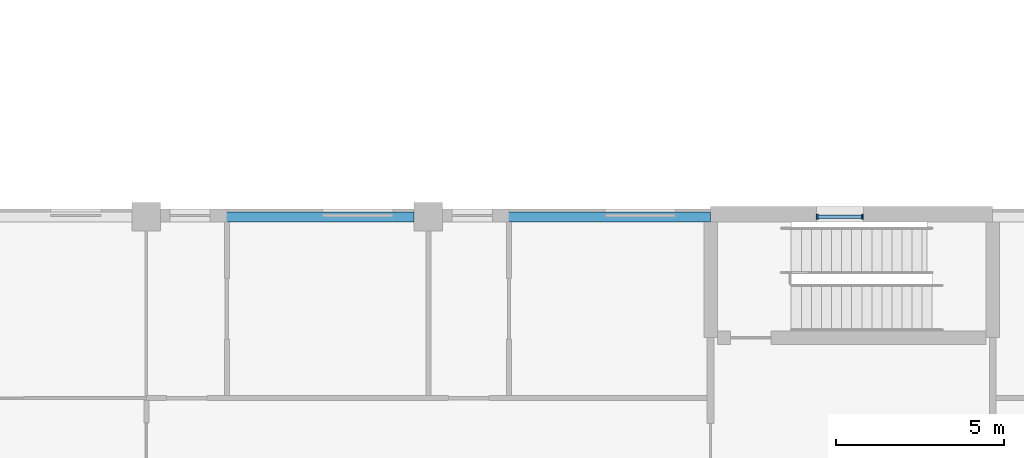
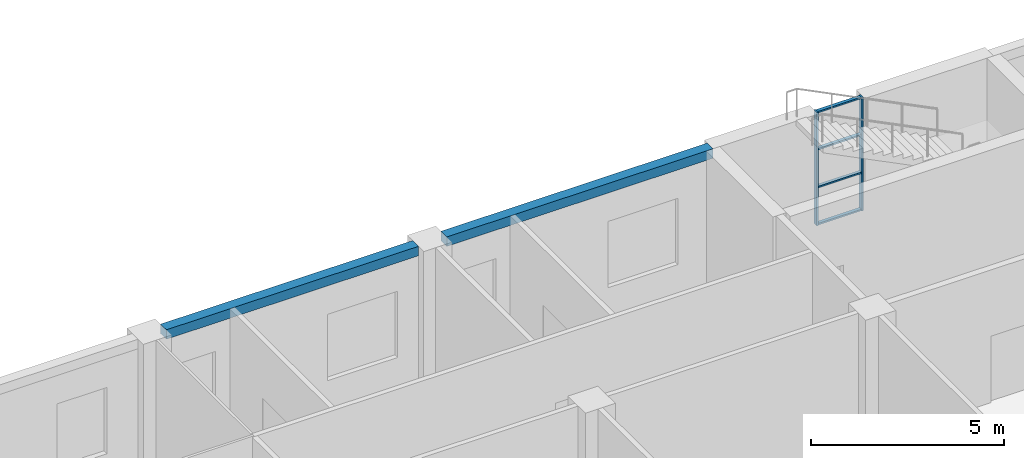
# One storey, part 14 of 66: 6 members, 2 beams, 1 element without a shape of its own.
"""IFC4 building model written with IfcOpenShell, lengths in metres."""

from ifc_helpers import new_model, si_unit, direction, frame, origin, origin_2d, place, context, subcontext, project, spatial, rectangle, extrude, material, material_profile, profile_set, type_object, element, aggregate, save


model = new_model("IFC4")

# Units and contexts
model_context = context("Model", 3, precision=1e-05, world=origin(), true_north=direction((0.0, 1.0)))
body_context = subcontext(model_context, "Body", "Model", "MODEL_VIEW")
ifc_project = project(units=[si_unit("LENGTHUNIT", "METRE"), si_unit("AREAUNIT", "SQUARE_METRE"), si_unit("VOLUMEUNIT", "CUBIC_METRE"), si_unit("PLANEANGLEUNIT", "RADIAN"), si_unit("MASSUNIT", "GRAM", prefix="KILO")], contexts=[model_context])

# Site, building, storey
site_placement = place(None, origin())
site = spatial("IfcSite", under=ifc_project, at=site_placement, CompositionType="ELEMENT")
building_placement = place(site_placement, origin())
building = spatial("IfcBuilding", under=site, at=building_placement, Name="Yavir Park General Hospital", CompositionType="ELEMENT")
storey_placement = place(building_placement, frame((0.0, 0.0, 8.39990234375)))
storey = spatial("IfcBuildingStorey", under=building, at=storey_placement, Name="L02", CompositionType="ELEMENT", Elevation=8.39990234375)

# Beams
ifc_material_1 = material(Name="Concrete C35/45", Category="concrete")
ifc_material_profile_1 = material_profile(ifc_material_1, rectangle(XDim=0.300048828125, YDim=0.300048828125, at=origin_2d()), Name="RC300x300")
ifc_profile_set_1 = profile_set([ifc_material_profile_1], Name="Concrete C35/45")
beam_type = type_object("IfcBeamType", Name="RC BEAM 300x300 edge beam", PredefinedType="BEAM", material=ifc_profile_set_1)
beam_1_placement = place(storey_placement, frame((92.824951171875, 33.60009765625, 4.050048828125), z_axis=(1.0, 0.0, 0.0), x_axis=(0.0, 1.0, 0.0)))
element("IfcBeam", 1, at=beam_1_placement, inside=storey, type_object=beam_type, Name="B:EDGE:L02:024", PredefinedType="BEAM", context=body_context, shape_type="SweptSolid", body=[
    extrude(rectangle(XDim=0.300048828125, YDim=0.300048828125, at=origin_2d()), origin(), (0.0, 0.0, 1.0), 7.550048828125),
])
beam_2_placement = place(storey_placement, frame((101.22509765625, 33.60009765625, 4.050048828125), z_axis=(1.0, 0.0, 0.0), x_axis=(0.0, 1.0, 0.0)))
element("IfcBeam", 2, at=beam_2_placement, inside=storey, type_object=beam_type, Name="B:EDGE:L02:025", PredefinedType="BEAM", context=body_context, shape_type="SweptSolid", body=[
    extrude(rectangle(XDim=0.300048828125, YDim=0.300048828125, at=origin_2d()), origin(), (0.0, 0.0, 1.0), 7.974853515625),
])

# Curtain wall, members
ifc_material_2 = material(Name="Aluminium curtain wall frame with insulated glazing", Category="aluminium")
curtain_wall_type = type_object("IfcCurtainWallType", Name="Stair light slot, podium, 3600 high, 1400 module", PredefinedType="NOTDEFINED", material=ifc_material_2)
curtain_wall_placement = place(storey_placement, origin())
curtain_wall = element("IfcCurtainWall", 3, at=curtain_wall_placement, inside=storey, type_object=curtain_wall_type, Name="CW57 L02-007", PredefinedType="NOTDEFINED")
ifc_material_3 = material(Name="Aluminium", Category="aluminium")
ifc_material_profile_2 = material_profile(ifc_material_3, rectangle(XDim=0.139892578125, YDim=0.050048828125, at=origin_2d()), Name="AL 50x140")
ifc_profile_set_2 = profile_set([ifc_material_profile_2], Name="Aluminium")
member_type_1 = type_object("IfcMemberType", Name="Stair light slot, podium, 3600 high mullion 50 x 140", PredefinedType="MULLION", material=ifc_profile_set_2)
member_1_placement = place(storey_placement, frame((112.375, 33.60009765625, 0.60009765625), z_axis=(0.0, 0.0, 1.0), x_axis=(0.0, 1.0, 0.0)))
member_1 = element("IfcMember", 4, at=member_1_placement, type_object=member_type_1, Name="CW57 mullion 1", PredefinedType="MULLION", context=body_context, shape_type="SweptSolid", body=[
    extrude(rectangle(XDim=0.139892578125, YDim=0.050048828125, at=origin_2d()), origin(), (0.0, 0.0, 1.0), 3.60009765625),
])
member_2_placement = place(storey_placement, frame((113.72509765625, 33.60009765625, 0.60009765625), z_axis=(0.0, 0.0, 1.0), x_axis=(0.0, 1.0, 0.0)))
member_2 = element("IfcMember", 5, at=member_2_placement, type_object=member_type_1, Name="CW57 mullion 2", PredefinedType="MULLION", context=body_context, shape_type="SweptSolid", body=[
    extrude(rectangle(XDim=0.139892578125, YDim=0.050048828125, at=origin_2d()), origin(), (0.0, 0.0, 1.0), 3.60009765625),
])
ifc_material_4 = material(Name="Aluminium", Category="aluminium")
ifc_material_profile_3 = material_profile(ifc_material_4, rectangle(XDim=0.10009765625, YDim=0.050048828125, at=origin_2d()), Name="AL 100x50")
ifc_profile_set_3 = profile_set([ifc_material_profile_3], Name="Aluminium")
member_type_2 = type_object("IfcMemberType", Name="Stair light slot, podium, 3600 high transom 50 x 100", PredefinedType="MULLION", material=ifc_profile_set_3)
member_3_placement = place(storey_placement, frame((112.39990234375, 33.60009765625, 0.625), z_axis=(1.0, 0.0, 0.0), x_axis=(0.0, 1.0, 0.0)))
member_3 = element("IfcMember", 6, at=member_3_placement, type_object=member_type_2, Name="CW57 transom 1.1", PredefinedType="MULLION", context=body_context, shape_type="SweptSolid", body=[
    extrude(rectangle(XDim=0.10009765625, YDim=0.050048828125, at=origin_2d()), origin(), (0.0, 0.0, 1.0), 1.300048828125),
])
member_4_placement = place(storey_placement, frame((112.39990234375, 33.60009765625, 1.800048828125), z_axis=(1.0, 0.0, 0.0), x_axis=(0.0, 1.0, 0.0)))
member_4 = element("IfcMember", 7, at=member_4_placement, type_object=member_type_2, Name="CW57 transom 1.2", PredefinedType="MULLION", context=body_context, shape_type="SweptSolid", body=[
    extrude(rectangle(XDim=0.10009765625, YDim=0.050048828125, at=origin_2d()), origin(), (0.0, 0.0, 1.0), 1.300048828125),
])
member_5_placement = place(storey_placement, frame((112.39990234375, 33.60009765625, 3.0), z_axis=(1.0, 0.0, 0.0), x_axis=(0.0, 1.0, 0.0)))
member_5 = element("IfcMember", 8, at=member_5_placement, type_object=member_type_2, Name="CW57 transom 1.3", PredefinedType="MULLION", context=body_context, shape_type="SweptSolid", body=[
    extrude(rectangle(XDim=0.10009765625, YDim=0.050048828125, at=origin_2d()), origin(), (0.0, 0.0, 1.0), 1.300048828125),
])
member_6_placement = place(storey_placement, frame((112.39990234375, 33.60009765625, 4.175048828125), z_axis=(1.0, 0.0, 0.0), x_axis=(0.0, 1.0, 0.0)))
member_6 = element("IfcMember", 9, at=member_6_placement, type_object=member_type_2, Name="CW57 transom 1.4", PredefinedType="MULLION", context=body_context, shape_type="SweptSolid", body=[
    extrude(rectangle(XDim=0.10009765625, YDim=0.050048828125, at=origin_2d()), origin(), (0.0, 0.0, 1.0), 1.300048828125),
])
aggregate(curtain_wall, [member_1, member_2, member_3, member_4, member_5, member_6])

save(model, "model.ifc")
